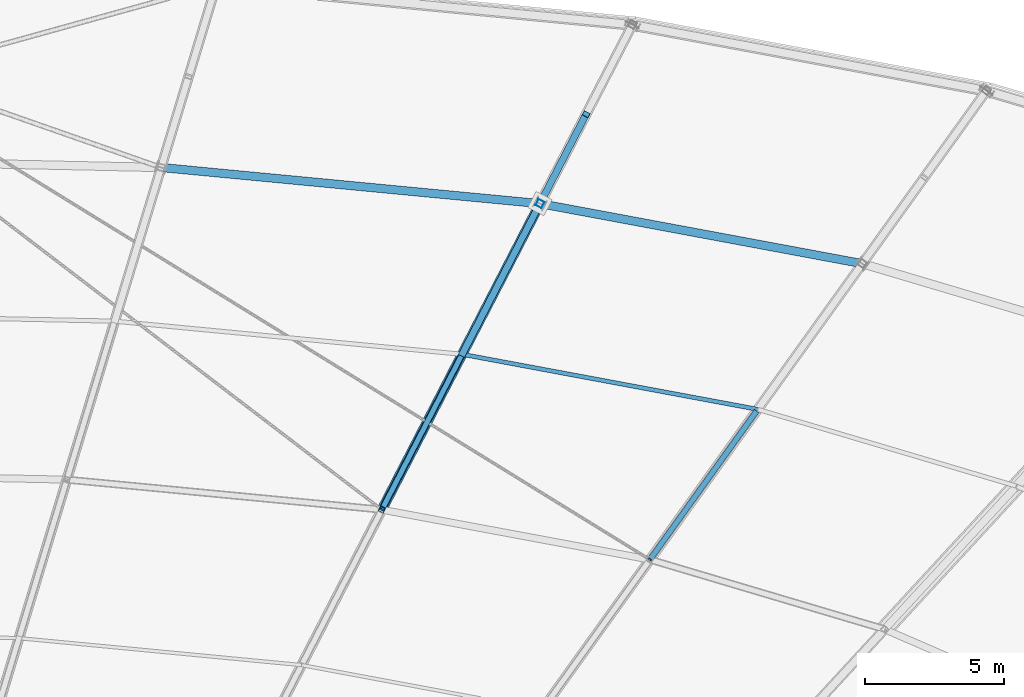
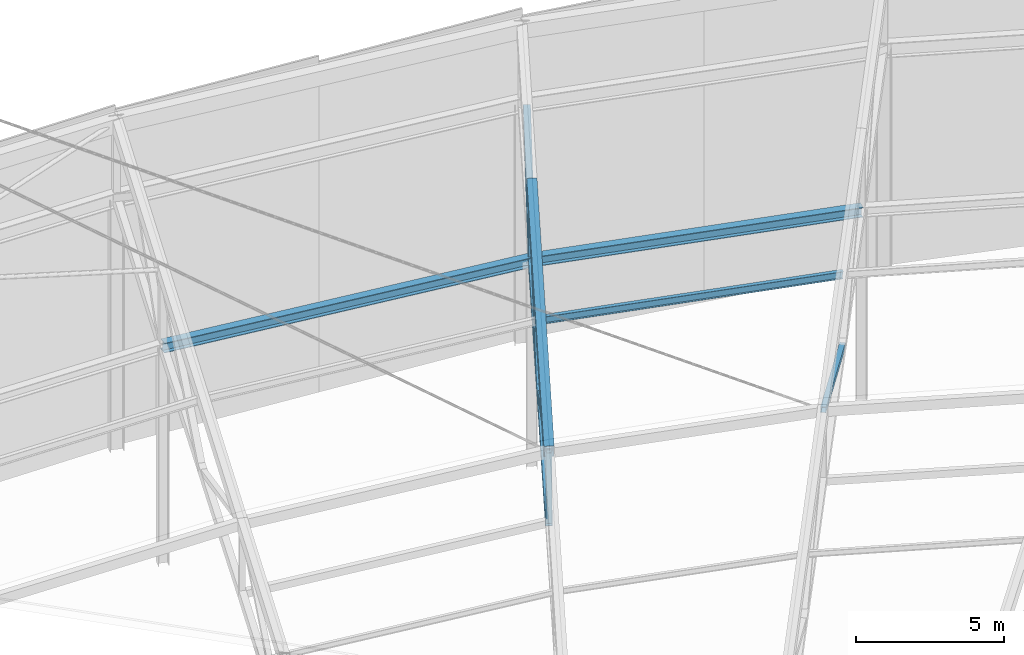
# One storey, part 100 of 143: 7 members, 4 beams.
"""IFC4 building model written with IfcOpenShell, lengths in metres."""

from ifc_helpers import new_model, si_unit, direction, frame, origin, origin_2d, place, context, subcontext, project, spatial, hollow_rectangle, i_section, extrude, material, material_profile, profile_set, type_object, element, save


model = new_model("IFC4")

# Units and contexts
model_context = context("Model", 3, precision=1e-05, world=origin(), true_north=direction((0.0, 1.0)))
body_context = subcontext(model_context, "Body", "Model", "MODEL_VIEW")
ifc_project = project(units=[si_unit("LENGTHUNIT", "METRE"), si_unit("AREAUNIT", "SQUARE_METRE"), si_unit("VOLUMEUNIT", "CUBIC_METRE"), si_unit("PLANEANGLEUNIT", "RADIAN"), si_unit("MASSUNIT", "GRAM", prefix="KILO")], contexts=[model_context])

# Site, building, storey
site_placement = place(None, origin())
site = spatial("IfcSite", under=ifc_project, at=site_placement, CompositionType="ELEMENT")
building_placement = place(site_placement, origin())
building = spatial("IfcBuilding", under=site, at=building_placement, Name="Mphavela Belvedere Stadium", CompositionType="ELEMENT")
storey_placement = place(building_placement, frame((0.0, 0.0, 28.800048828125)))
storey = spatial("IfcBuildingStorey", under=building, at=storey_placement, Name="RF", CompositionType="ELEMENT", Elevation=28.800048828125)

# Beams
ifc_material_1 = material(Name="Steel S355", Category="steel")
ifc_material_profile_1 = material_profile(ifc_material_1, i_section(OverallWidth=0.300048828125, OverallDepth=0.39990234375, WebThickness=0.013427734375, FlangeThickness=0.02392578125, at=origin_2d()), Name="HEB 400")
ifc_profile_set_1 = profile_set([ifc_material_profile_1], Name="Steel S355")
beam_type_1 = type_object("IfcBeamType", Name="BM-STEEL-HEB400", PredefinedType="BEAM", material=ifc_profile_set_1)
beam_1_placement = place(storey_placement, frame((160.337890625, 150.177490234375, 7.791259765625), z_axis=(-0.981396426974, 0.182764743443, 0.058805626242), x_axis=(-0.18308157494, -0.983097725009, 0.0)))
element("IfcBeam", 1, at=beam_1_placement, inside=storey, type_object=beam_type_1, Name="Roof bottom-chord tie girder R3-10", PredefinedType="BEAM", context=body_context, shape_type="SweptSolid", body=[
    extrude(i_section(OverallWidth=0.300048828125, OverallDepth=0.39990234375, WebThickness=0.013427734375, FlangeThickness=0.02392578125, at=origin_2d()), origin(), (0.0, 0.0, 1.0), 11.807373046875),
])
beam_2_placement = place(storey_placement, frame((148.750244140625, 152.33544921875, 8.485595703125), z_axis=(-0.994977349993, 0.094882918131, 0.031895216698), x_axis=(-0.094931217412, -0.995483834103, 0.0)))
element("IfcBeam", 2, at=beam_2_placement, inside=storey, type_object=beam_type_1, Name="Roof bottom-chord tie girder R3-11", PredefinedType="BEAM", context=body_context, shape_type="SweptSolid", body=[
    extrude(i_section(OverallWidth=0.300048828125, OverallDepth=0.39990234375, WebThickness=0.013427734375, FlangeThickness=0.02392578125, at=origin_2d()), origin(), (0.0, 0.0, 1.0), 13.686279296875),
])
ifc_material_2 = material(Name="Steel S355", Category="steel")
ifc_material_profile_2 = material_profile(ifc_material_2, hollow_rectangle(XDim=0.25, YDim=0.39990234375, WallThickness=0.01611328125, at=origin_2d()), Name="RHS 400x250x16")
ifc_profile_set_2 = profile_set([ifc_material_profile_2], Name="Steel S355")
beam_type_2 = type_object("IfcBeamType", Name="BM-TRUSS-BC2", PredefinedType="BEAM", material=ifc_profile_set_2)
beam_3_placement = place(storey_placement, frame((148.750244140625, 152.33544921875, 8.485595703125), z_axis=(-0.452410073989, -0.875785367681, -0.168300667586), x_axis=(0.888458600926, -0.458956767507, 0.0)))
element("IfcBeam", 3, at=beam_3_placement, inside=storey, type_object=beam_type_2, Name="Radial roof truss RT-11 bottom chord 2", PredefinedType="BEAM", context=body_context, shape_type="SweptSolid", body=[
    extrude(hollow_rectangle(XDim=0.25, YDim=0.39990234375, WallThickness=0.01611328125, at=origin_2d()), origin(), (0.0, 0.0, 1.0), 12.5625),
])
ifc_material_3 = material(Name="Steel S355", Category="steel")
ifc_material_profile_3 = material_profile(ifc_material_3, hollow_rectangle(XDim=0.35009765625, YDim=0.5, WallThickness=0.02001953125, at=origin_2d()), Name="RHS 500x350x20")
ifc_profile_set_3 = profile_set([ifc_material_profile_3], Name="Steel S355")
beam_type_3 = type_object("IfcBeamType", Name="BM-TRUSS-TC2", PredefinedType="BEAM", material=ifc_profile_set_3)
beam_4_placement = place(storey_placement, frame((148.750244140625, 152.33544921875, 11.6357421875), z_axis=(-0.450812084238, -0.872691943989, -0.187555953256), x_axis=(0.888458600926, -0.458956767507, 0.0)))
element("IfcBeam", 4, at=beam_4_placement, inside=storey, type_object=beam_type_3, Name="Radial roof truss RT-11 top chord 2", PredefinedType="BEAM", context=body_context, shape_type="SweptSolid", body=[
    extrude(hollow_rectangle(XDim=0.35009765625, YDim=0.5, WallThickness=0.02001953125, at=origin_2d()), origin(), (0.0, 0.0, 1.0), 12.60693359375),
])

# Members
ifc_material_4 = material(Name="Steel S355", Category="steel")
ifc_material_profile_4 = material_profile(ifc_material_4, hollow_rectangle(XDim=0.199951171875, YDim=0.199951171875, WallThickness=0.010009765625, at=origin_2d()), Name="SHS 200x200x10")
ifc_profile_set_4 = profile_set([ifc_material_profile_4], Name="Steel S355")
member_type_1 = type_object("IfcMemberType", Name="MEM-POST-SHS200", PredefinedType="POST", material=ifc_profile_set_4)
member_1_placement = place(storey_placement, frame((156.5205078125, 144.85791015625, 6.79248046875), z_axis=(-0.559926518449, -0.780194362845, 0.278888956618), x_axis=(0.812428810785, -0.583060397734, 0.0)))
element("IfcMember", 5, at=member_1_placement, inside=storey, type_object=member_type_1, Name="Radial roof truss RT-10 web diagonal D4", PredefinedType="POST", context=body_context, shape_type="SweptSolid", body=[
    extrude(hollow_rectangle(XDim=0.199951171875, YDim=0.199951171875, WallThickness=0.010009765625, at=origin_2d()), origin(), (0.0, 0.0, 1.0), 6.817626953125),
])
member_2_placement = place(storey_placement, frame((143.06689453125, 141.33349609375, 6.371337890625), z_axis=(0.0, 0.0, 1.0), x_axis=(0.458959712465, 0.888457079624, 0.0)))
element("IfcMember", 6, at=member_2_placement, inside=storey, type_object=member_type_1, Name="Radial roof truss RT-11 post P3", PredefinedType="POST", context=body_context, shape_type="SweptSolid", body=[
    extrude(hollow_rectangle(XDim=0.199951171875, YDim=0.199951171875, WallThickness=0.010009765625, at=origin_2d()), origin(), (0.0, 0.0, 1.0), 2.89990234375),
])
member_3_placement = place(storey_placement, frame((145.90869140625, 146.83447265625, 7.428466796875), z_axis=(-0.439902596761, -0.851536538679, 0.285256426147), x_axis=(0.888450561596, -0.458972329885, 0.0)))
element("IfcMember", 7, at=member_3_placement, inside=storey, type_object=member_type_1, Name="Radial roof truss RT-11 web diagonal D4", PredefinedType="POST", context=body_context, shape_type="SweptSolid", body=[
    extrude(hollow_rectangle(XDim=0.199951171875, YDim=0.199951171875, WallThickness=0.010009765625, at=origin_2d()), origin(), (0.0, 0.0, 1.0), 6.4599609375),
])
ifc_material_5 = material(Name="Steel S355", Category="steel")
ifc_material_profile_5 = material_profile(ifc_material_5, hollow_rectangle(XDim=0.25, YDim=0.25, WallThickness=0.012451171875, at=origin_2d()), Name="SHS 250x250x12.5")
ifc_profile_set_5 = profile_set([ifc_material_profile_5], Name="Steel S355")
member_type_2 = type_object("IfcMemberType", Name="MEM-POST-SHS250", PredefinedType="POST", material=ifc_profile_set_5)
member_4_placement = place(storey_placement, frame((148.750244140625, 152.33544921875, 8.485595703125), z_axis=(0.0, 0.0, 1.0), x_axis=(0.458959712465, 0.888457079624, 0.0)))
element("IfcMember", 8, at=member_4_placement, inside=storey, type_object=member_type_2, Name="Radial roof truss RT-11 post P2", PredefinedType="POST", context=body_context, shape_type="SweptSolid", body=[
    extrude(hollow_rectangle(XDim=0.25, YDim=0.25, WallThickness=0.012451171875, at=origin_2d()), origin(), (0.0, 0.0, 1.0), 3.150146484375),
])
member_5_placement = place(storey_placement, frame((150.41162109375, 155.551513671875, 12.32666015625), z_axis=(-0.314775449626, -0.609336810862, -0.727753438495), x_axis=(0.888454784808, -0.458964154757, 0.0)))
element("IfcMember", 9, at=member_5_placement, inside=storey, type_object=member_type_2, Name="Radial roof truss RT-11 web diagonal D2", PredefinedType="POST", context=body_context, shape_type="SweptSolid", body=[
    extrude(hollow_rectangle(XDim=0.25, YDim=0.25, WallThickness=0.012451171875, at=origin_2d()), origin(), (0.0, 0.0, 1.0), 5.278076171875),
])
member_6_placement = place(storey_placement, frame((148.750244140625, 152.33544921875, 11.6357421875), z_axis=(-0.379595340709, -0.734860573662, -0.562038534791), x_axis=(0.888466640129, -0.458941204707, 0.0)))
element("IfcMember", 10, at=member_6_placement, inside=storey, type_object=member_type_2, Name="Radial roof truss RT-11 web diagonal D3", PredefinedType="POST", context=body_context, shape_type="SweptSolid", body=[
    extrude(hollow_rectangle(XDim=0.25, YDim=0.25, WallThickness=0.012451171875, at=origin_2d()), origin(), (0.0, 0.0, 1.0), 7.48583984375),
])
ifc_material_6 = material(Name="Steel S355", Category="steel")
ifc_material_profile_6 = material_profile(ifc_material_6, i_section(OverallWidth=0.14990234375, OverallDepth=0.300048828125, WebThickness=0.007080078125, FlangeThickness=0.0107421875, at=origin_2d()), Name="IPE 300")
ifc_profile_set_6 = profile_set([ifc_material_profile_6], Name="Steel S355")
member_type_3 = type_object("IfcMemberType", Name="MEM-PURLIN-IPE300", PredefinedType="PURLIN", material=ifc_profile_set_6)
member_7_placement = place(storey_placement, frame((156.579345703125, 144.93994140625, 9.644775390625), z_axis=(-0.981396162786, 0.182760459831, 0.058823345633), x_axis=(-0.18307747536, -0.983098488462, 0.0)))
element("IfcMember", 11, at=member_7_placement, inside=storey, type_object=member_type_3, Name="Saddle canopy steel purlin 10-2", PredefinedType="PURLIN", context=body_context, shape_type="SweptSolid", body=[
    extrude(i_section(OverallWidth=0.14990234375, OverallDepth=0.300048828125, WebThickness=0.007080078125, FlangeThickness=0.0107421875, at=origin_2d()), origin(), (0.0, 0.0, 1.0), 10.828369140625),
])

save(model, "model.ifc")
